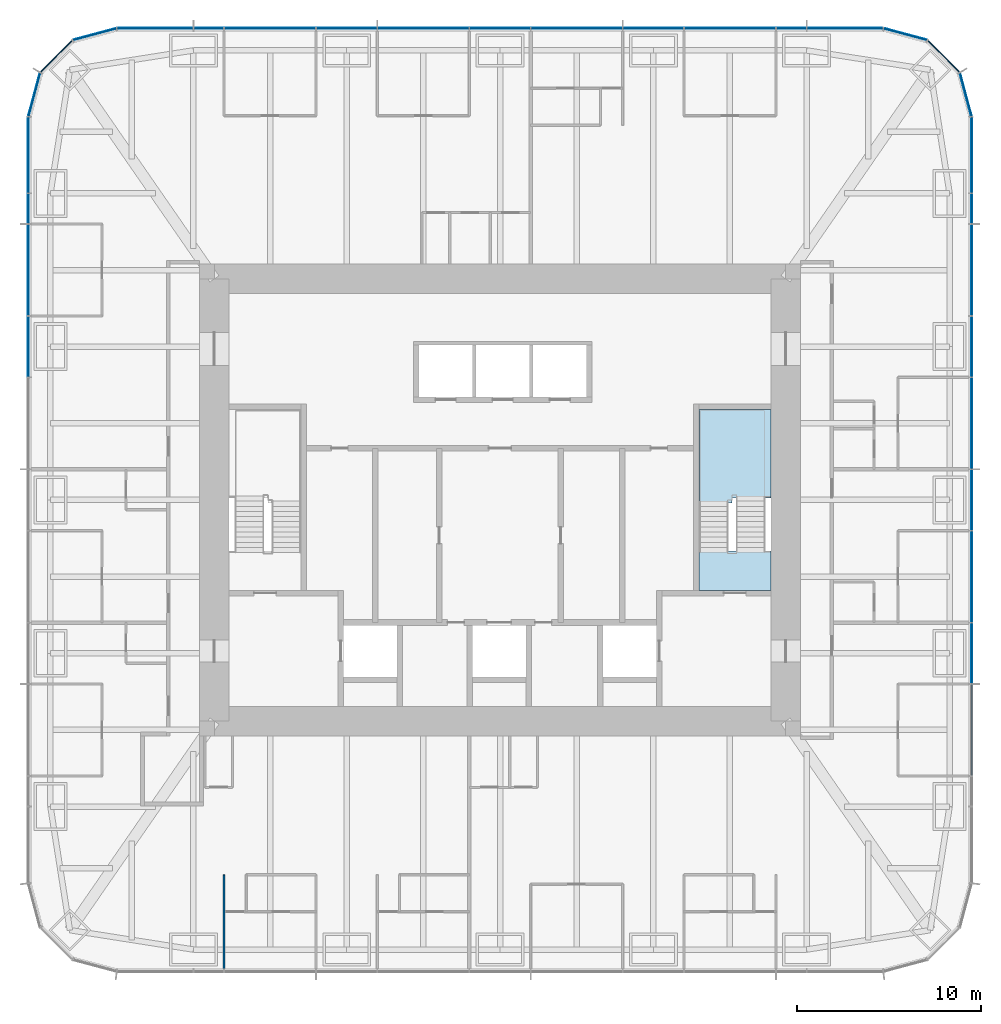
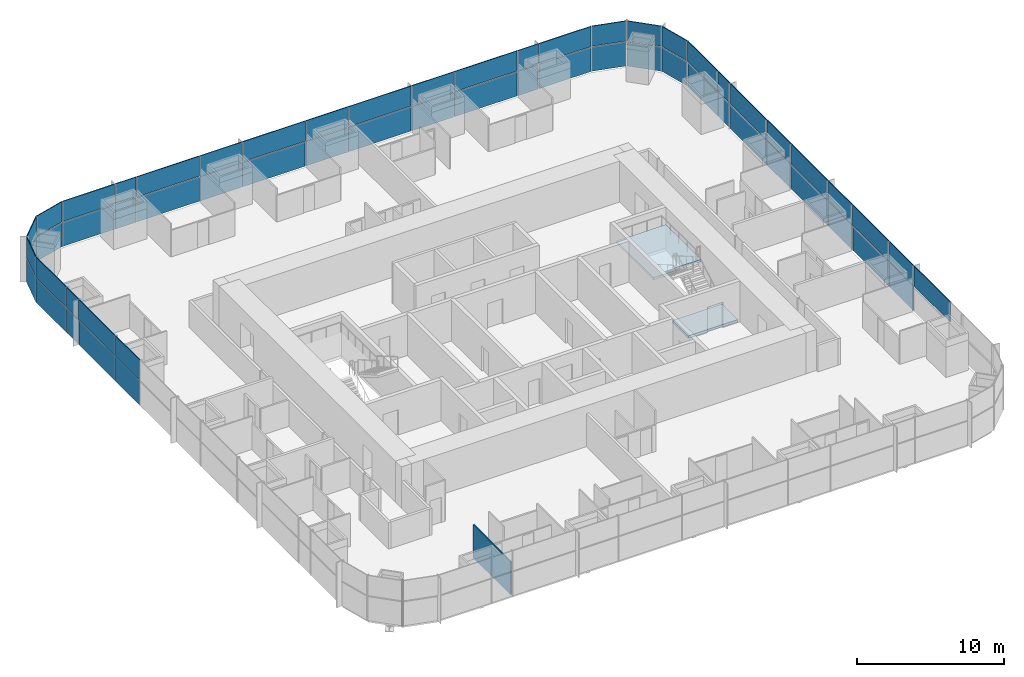
# One storey, part 8 of 13: 59 plates, 2 slabs, 1 wall, 6 elements without a shape of their own.
"""IFC4 building model written with IfcOpenShell, lengths in metres."""

from ifc_helpers import new_model, si_unit, direction, frame, frame_2d, origin, origin_2d, place, context, subcontext, project, spatial, polyline, rectangle, outline, extrude, material, layer, layer_set, type_object, element, aggregate, save


model = new_model("IFC4")

# Units and contexts
model_context = context("Model", 3, precision=1e-05, world=origin(), true_north=direction((0.0, 1.0)))
body_context = subcontext(model_context, "Body", "Model", "MODEL_VIEW")
ifc_project = project(units=[si_unit("LENGTHUNIT", "METRE"), si_unit("AREAUNIT", "SQUARE_METRE"), si_unit("VOLUMEUNIT", "CUBIC_METRE"), si_unit("PLANEANGLEUNIT", "RADIAN"), si_unit("MASSUNIT", "GRAM", prefix="KILO")], contexts=[model_context])

# Site, building, storey
site_placement = place(None, origin())
site = spatial("IfcSite", under=ifc_project, at=site_placement, CompositionType="ELEMENT")
building_placement = place(site_placement, origin())
building = spatial("IfcBuilding", under=site, at=building_placement, Name="Khuree Lantern Residences", CompositionType="ELEMENT")
storey_placement = place(building_placement, frame((0.0, 0.0, 274.5)))
storey = spatial("IfcBuildingStorey", under=building, at=storey_placement, Name="L69", CompositionType="ELEMENT", Elevation=274.5)

# Curtain wall, plates
ifc_material_1 = material(Name="Bronze anodised aluminium", Category="aluminium")
curtain_wall_type_1 = type_object("IfcCurtainWallType", Name="CW-T2 TOWER CORNER CURTAIN WALL", PredefinedType="USERDEFINED", material=ifc_material_1)
curtain_wall_1_placement = place(storey_placement, origin())
curtain_wall_1 = element("IfcCurtainWall", 1, at=curtain_wall_1_placement, inside=storey, type_object=curtain_wall_type_1, Name="L69 NORTH-EAST CORNER CURTAIN WALL", ObjectType="Faceted corner curtain wall", PredefinedType="USERDEFINED")
ifc_material_2 = material(Name="Bronze tinted triple glazing", Category="glass")
ifc_layer_1 = layer(ifc_material_2, 0.048095703125)
ifc_layer_set_1 = layer_set([ifc_layer_1], Name="FACET PANEL P4")
plate_type_1 = type_object("IfcPlateType", Name="FACET PANEL P4", PredefinedType="CURTAIN_PANEL", material=ifc_layer_set_1)
plate_1_placement = place(storey_placement, frame((25.279052734375, 21.998046875, 0.0), z_axis=(0.0, 0.0, 1.0), x_axis=(-0.258819021888, 0.965925832509, 0.0)))
plate_1 = element("IfcPlate", 2, at=plate_1_placement, type_object=plate_type_1, Name="L69 NORTH-EAST CORNER PANEL 15.1", PredefinedType="CURTAIN_PANEL", context=body_context, shape_type="SweptSolid", body=[
    extrude(rectangle(XDim=2.40869140625, YDim=0.048095703125, at=origin_2d()), origin(), (0.0, 0.0, 1.0), 2.017578125),
])
plate_2_placement = place(storey_placement, frame((24.078369140625, 24.078369140625, 0.0), z_axis=(0.0, 0.0, 1.0), x_axis=(-0.707106781187, 0.707106781187, 0.0)))
plate_2 = element("IfcPlate", 3, at=plate_2_placement, type_object=plate_type_1, Name="L69 NORTH-EAST CORNER PANEL 16.1", PredefinedType="CURTAIN_PANEL", context=body_context, shape_type="SweptSolid", body=[
    extrude(rectangle(XDim=2.404541015625, YDim=0.048095703125, at=origin_2d()), origin(), (0.0, 0.0, 1.0), 2.017578125),
])
plate_3_placement = place(storey_placement, frame((21.998046875, 25.279052734375, 0.0), z_axis=(0.0, 0.0, 1.0), x_axis=(-0.965925832509, 0.258819021888, 0.0)))
plate_3 = element("IfcPlate", 4, at=plate_3_placement, type_object=plate_type_1, Name="L69 NORTH-EAST CORNER PANEL 17.1", PredefinedType="CURTAIN_PANEL", context=body_context, shape_type="SweptSolid", body=[
    extrude(rectangle(XDim=2.40869140625, YDim=0.048095703125, at=origin_2d()), origin(), (0.0, 0.0, 1.0), 2.017578125),
])

curtain_wall_2_placement = place(storey_placement, origin())
curtain_wall_2 = element("IfcCurtainWall", 5, at=curtain_wall_2_placement, inside=storey, type_object=curtain_wall_type_1, Name="L69 NORTH-WEST CORNER CURTAIN WALL", ObjectType="Faceted corner curtain wall", PredefinedType="USERDEFINED")
plate_4_placement = place(storey_placement, frame((-21.998046875, 25.279052734375, 0.0), z_axis=(0.0, 0.0, 1.0), x_axis=(-0.965925832509, -0.258819021888, 0.0)))
plate_4 = element("IfcPlate", 6, at=plate_4_placement, type_object=plate_type_1, Name="L69 NORTH-WEST CORNER PANEL 29.1", PredefinedType="CURTAIN_PANEL", context=body_context, shape_type="SweptSolid", body=[
    extrude(rectangle(XDim=2.40869140625, YDim=0.048095703125, at=origin_2d()), origin(), (0.0, 0.0, 1.0), 2.017578125),
])
plate_5_placement = place(storey_placement, frame((-24.078369140625, 24.078369140625, 0.0), z_axis=(0.0, 0.0, 1.0), x_axis=(-0.707106781187, -0.707106781187, 0.0)))
plate_5 = element("IfcPlate", 7, at=plate_5_placement, type_object=plate_type_1, Name="L69 NORTH-WEST CORNER PANEL 30.1", PredefinedType="CURTAIN_PANEL", context=body_context, shape_type="SweptSolid", body=[
    extrude(rectangle(XDim=2.404541015625, YDim=0.048095703125, at=origin_2d()), origin(), (0.0, 0.0, 1.0), 2.017578125),
])
plate_6_placement = place(storey_placement, frame((-25.279052734375, 21.998046875, 0.0), z_axis=(0.0, 0.0, 1.0), x_axis=(-0.258819021888, -0.965925832509, 0.0)))
plate_6 = element("IfcPlate", 8, at=plate_6_placement, type_object=plate_type_1, Name="L69 NORTH-WEST CORNER PANEL 31.1", PredefinedType="CURTAIN_PANEL", context=body_context, shape_type="SweptSolid", body=[
    extrude(rectangle(XDim=2.40869140625, YDim=0.048095703125, at=origin_2d()), origin(), (0.0, 0.0, 1.0), 2.017578125),
])

curtain_wall_type_2 = type_object("IfcCurtainWallType", Name="CW-T1 TOWER FACE CURTAIN WALL", PredefinedType="USERDEFINED", material=ifc_material_1)
curtain_wall_3_placement = place(storey_placement, origin())
curtain_wall_3 = element("IfcCurtainWall", 9, at=curtain_wall_3_placement, inside=storey, type_object=curtain_wall_type_2, Name="L69 EAST FACE CURTAIN WALL", ObjectType="Stick-built curtain wall", PredefinedType="USERDEFINED")
ifc_material_3 = material(Name="Bronze tinted triple glazing with a ceramic-fritted spandrel band", Category="glass")
ifc_layer_2 = layer(ifc_material_3, 0.048095703125)
ifc_layer_set_2 = layer_set([ifc_layer_2], Name="FIXED LIGHT PANEL P11")
plate_type_2 = type_object("IfcPlateType", Name="FIXED LIGHT PANEL P11", PredefinedType="CURTAIN_PANEL", material=ifc_layer_set_2)
plate_7_placement = place(storey_placement, frame((25.60009765625, -4.159912109375, 0.0), z_axis=(0.0, 0.0, 1.0), x_axis=(0.0, 1.0, 0.0)))
plate_7 = element("IfcPlate", 10, at=plate_7_placement, type_object=plate_type_2, Name="L69 EAST FACE PANEL 8.1", PredefinedType="CURTAIN_PANEL", context=body_context, shape_type="SweptSolid", body=[
    extrude(rectangle(XDim=4.927001953125, YDim=0.048095703125, at=origin_2d()), origin(), (0.0, 0.0, 1.0), 2.017578125),
])
plate_8_placement = place(storey_placement, frame((25.60009765625, 4.159912109375, 0.0), z_axis=(0.0, 0.0, 1.0), x_axis=(0.0, 1.0, 0.0)))
plate_8 = element("IfcPlate", 11, at=plate_8_placement, type_object=plate_type_2, Name="L69 EAST FACE PANEL 10.1", PredefinedType="CURTAIN_PANEL", context=body_context, shape_type="SweptSolid", body=[
    extrude(rectangle(XDim=4.927001953125, YDim=0.048095703125, at=origin_2d()), origin(), (0.0, 0.0, 1.0), 2.017578125),
])
plate_9_placement = place(storey_placement, frame((25.60009765625, 12.47998046875, 0.0), z_axis=(0.0, 0.0, 1.0), x_axis=(0.0, 1.0, 0.0)))
plate_9 = element("IfcPlate", 12, at=plate_9_placement, type_object=plate_type_2, Name="L69 EAST FACE PANEL 12.1", PredefinedType="CURTAIN_PANEL", context=body_context, shape_type="SweptSolid", body=[
    extrude(rectangle(XDim=4.927001953125, YDim=0.048095703125, at=origin_2d()), origin(), (0.0, 0.0, 1.0), 2.017578125),
])

curtain_wall_4_placement = place(storey_placement, origin())
curtain_wall_4 = element("IfcCurtainWall", 13, at=curtain_wall_4_placement, inside=storey, type_object=curtain_wall_type_2, Name="L69 NORTH FACE CURTAIN WALL", ObjectType="Stick-built curtain wall", PredefinedType="USERDEFINED")
plate_10_placement = place(storey_placement, frame((12.47998046875, 25.60009765625, 0.0), z_axis=(0.0, 0.0, 1.0), x_axis=(-1.0, 0.0, 0.0)))
plate_10 = element("IfcPlate", 14, at=plate_10_placement, type_object=plate_type_2, Name="L69 NORTH FACE PANEL 20.1", PredefinedType="CURTAIN_PANEL", context=body_context, shape_type="SweptSolid", body=[
    extrude(rectangle(XDim=4.927001953125, YDim=0.048095703125, at=origin_2d()), origin(), (0.0, 0.0, 1.0), 2.017578125),
])
plate_11_placement = place(storey_placement, frame((4.159912109375, 25.60009765625, 0.0), z_axis=(0.0, 0.0, 1.0), x_axis=(-1.0, 0.0, 0.0)))
plate_11 = element("IfcPlate", 15, at=plate_11_placement, type_object=plate_type_2, Name="L69 NORTH FACE PANEL 22.1", PredefinedType="CURTAIN_PANEL", context=body_context, shape_type="SweptSolid", body=[
    extrude(rectangle(XDim=4.927001953125, YDim=0.048095703125, at=origin_2d()), origin(), (0.0, 0.0, 1.0), 2.017578125),
])
plate_12_placement = place(storey_placement, frame((-4.159912109375, 25.60009765625, 0.0), z_axis=(0.0, 0.0, 1.0), x_axis=(-1.0, 0.0, 0.0)))
plate_12 = element("IfcPlate", 16, at=plate_12_placement, type_object=plate_type_2, Name="L69 NORTH FACE PANEL 24.1", PredefinedType="CURTAIN_PANEL", context=body_context, shape_type="SweptSolid", body=[
    extrude(rectangle(XDim=4.927001953125, YDim=0.048095703125, at=origin_2d()), origin(), (0.0, 0.0, 1.0), 2.017578125),
])
plate_13_placement = place(storey_placement, frame((-12.47998046875, 25.60009765625, 0.0), z_axis=(0.0, 0.0, 1.0), x_axis=(-1.0, 0.0, 0.0)))
plate_13 = element("IfcPlate", 17, at=plate_13_placement, type_object=plate_type_2, Name="L69 NORTH FACE PANEL 26.1", PredefinedType="CURTAIN_PANEL", context=body_context, shape_type="SweptSolid", body=[
    extrude(rectangle(XDim=4.927001953125, YDim=0.048095703125, at=origin_2d()), origin(), (0.0, 0.0, 1.0), 2.017578125),
])

# Curtain wall, plate
curtain_wall_5_placement = place(storey_placement, origin())
curtain_wall_5 = element("IfcCurtainWall", 18, at=curtain_wall_5_placement, inside=storey, type_object=curtain_wall_type_2, Name="L69 WEST FACE CURTAIN WALL", ObjectType="Stick-built curtain wall", PredefinedType="USERDEFINED")
plate_14_placement = place(storey_placement, frame((-25.60009765625, 12.47998046875, 0.0), z_axis=(0.0, 0.0, 1.0), x_axis=(0.0, -1.0, 0.0)))
plate_14 = element("IfcPlate", 19, at=plate_14_placement, type_object=plate_type_2, Name="L69 WEST FACE PANEL 34.1", PredefinedType="CURTAIN_PANEL", context=body_context, shape_type="SweptSolid", body=[
    extrude(rectangle(XDim=4.927001953125, YDim=0.048095703125, at=origin_2d()), origin(), (0.0, 0.0, 1.0), 2.017578125),
])

# Plate
ifc_material_4 = material(Name="Bronze tinted triple glazing, two aluminium-framed sashes in one frame", Category="aluminium")
ifc_layer_3 = layer(ifc_material_4, 0.048095703125)
ifc_layer_set_3 = layer_set([ifc_layer_3], Name="SASH PAIR PANEL P12")
plate_type_3 = type_object("IfcPlateType", Name="SASH PAIR PANEL P12", PredefinedType="CURTAIN_PANEL", material=ifc_layer_set_3)
plate_15_placement = place(storey_placement, frame((25.60009765625, -8.320068359375, 0.0), z_axis=(0.0, 0.0, 1.0), x_axis=(0.0, 1.0, 0.0)))
plate_15 = element("IfcPlate", 20, at=plate_15_placement, type_object=plate_type_3, Name="L69 EAST FACE PANEL 7.1", PredefinedType="CURTAIN_PANEL", context=body_context, shape_type="SweptSolid", body=[
    extrude(rectangle(XDim=3.262939453125, YDim=0.048095703125, at=origin_2d()), origin(), (0.0, 0.0, 1.0), 2.017578125),
])

plate_16_placement = place(storey_placement, frame((25.60009765625, 0.0, 0.0), z_axis=(0.0, 0.0, 1.0), x_axis=(0.0, 1.0, 0.0)))
plate_16 = element("IfcPlate", 21, at=plate_16_placement, type_object=plate_type_3, Name="L69 EAST FACE PANEL 9.1", PredefinedType="CURTAIN_PANEL", context=body_context, shape_type="SweptSolid", body=[
    extrude(rectangle(XDim=3.262939453125, YDim=0.048095703125, at=origin_2d()), origin(), (0.0, 0.0, 1.0), 2.017578125),
])

plate_17_placement = place(storey_placement, frame((25.60009765625, 8.320068359375, 0.0), z_axis=(0.0, 0.0, 1.0), x_axis=(0.0, 1.0, 0.0)))
plate_17 = element("IfcPlate", 22, at=plate_17_placement, type_object=plate_type_3, Name="L69 EAST FACE PANEL 11.1", PredefinedType="CURTAIN_PANEL", context=body_context, shape_type="SweptSolid", body=[
    extrude(rectangle(XDim=3.262939453125, YDim=0.048095703125, at=origin_2d()), origin(), (0.0, 0.0, 1.0), 2.017578125),
])

plate_18_placement = place(storey_placement, frame((8.320068359375, 25.60009765625, 0.0), z_axis=(0.0, 0.0, 1.0), x_axis=(-1.0, 0.0, 0.0)))
plate_18 = element("IfcPlate", 23, at=plate_18_placement, type_object=plate_type_3, Name="L69 NORTH FACE PANEL 21.1", PredefinedType="CURTAIN_PANEL", context=body_context, shape_type="SweptSolid", body=[
    extrude(rectangle(XDim=3.262939453125, YDim=0.048095703125, at=origin_2d()), origin(), (0.0, 0.0, 1.0), 2.017578125),
])

plate_19_placement = place(storey_placement, frame((0.0, 25.60009765625, 0.0), z_axis=(0.0, 0.0, 1.0), x_axis=(-1.0, 0.0, 0.0)))
plate_19 = element("IfcPlate", 24, at=plate_19_placement, type_object=plate_type_3, Name="L69 NORTH FACE PANEL 23.1", PredefinedType="CURTAIN_PANEL", context=body_context, shape_type="SweptSolid", body=[
    extrude(rectangle(XDim=3.262939453125, YDim=0.048095703125, at=origin_2d()), origin(), (0.0, 0.0, 1.0), 2.017578125),
])

plate_20_placement = place(storey_placement, frame((-8.320068359375, 25.60009765625, 0.0), z_axis=(0.0, 0.0, 1.0), x_axis=(-1.0, 0.0, 0.0)))
plate_20 = element("IfcPlate", 25, at=plate_20_placement, type_object=plate_type_3, Name="L69 NORTH FACE PANEL 25.1", PredefinedType="CURTAIN_PANEL", context=body_context, shape_type="SweptSolid", body=[
    extrude(rectangle(XDim=3.262939453125, YDim=0.048095703125, at=origin_2d()), origin(), (0.0, 0.0, 1.0), 2.017578125),
])

plate_21_placement = place(storey_placement, frame((-25.60009765625, 8.320068359375, 0.0), z_axis=(0.0, 0.0, 1.0), x_axis=(0.0, -1.0, 0.0)))
plate_21 = element("IfcPlate", 26, at=plate_21_placement, type_object=plate_type_3, Name="L69 WEST FACE PANEL 35.1", PredefinedType="CURTAIN_PANEL", context=body_context, shape_type="SweptSolid", body=[
    extrude(rectangle(XDim=3.262939453125, YDim=0.048095703125, at=origin_2d()), origin(), (0.0, 0.0, 1.0), 2.017578125),
])

ifc_material_5 = material(Name="Bronze tinted triple glazing, aluminium-framed sash", Category="aluminium")
ifc_layer_4 = layer(ifc_material_5, 0.048095703125)
ifc_layer_set_4 = layer_set([ifc_layer_4], Name="SASH PANEL P3")
plate_type_4 = type_object("IfcPlateType", Name="SASH PANEL P3", PredefinedType="CURTAIN_PANEL", material=ifc_layer_set_4)
plate_22_placement = place(storey_placement, frame((25.60009765625, 15.80810546875, 0.0), z_axis=(0.0, 0.0, 1.0), x_axis=(0.0, 1.0, 0.0)))
plate_22 = element("IfcPlate", 27, at=plate_22_placement, type_object=plate_type_4, Name="L69 EAST FACE PANEL 13.1", PredefinedType="CURTAIN_PANEL", context=body_context, shape_type="SweptSolid", body=[
    extrude(rectangle(XDim=1.59912109375, YDim=0.048095703125, at=origin_2d()), origin(), (0.0, 0.0, 1.0), 2.017578125),
])

plate_23_placement = place(storey_placement, frame((15.80810546875, 25.60009765625, 0.0), z_axis=(0.0, 0.0, 1.0), x_axis=(-1.0, 0.0, 0.0)))
plate_23 = element("IfcPlate", 28, at=plate_23_placement, type_object=plate_type_4, Name="L69 NORTH FACE PANEL 19.1", PredefinedType="CURTAIN_PANEL", context=body_context, shape_type="SweptSolid", body=[
    extrude(rectangle(XDim=1.59912109375, YDim=0.048095703125, at=origin_2d()), origin(), (0.0, 0.0, 1.0), 2.017578125),
])

plate_24_placement = place(storey_placement, frame((-15.80810546875, 25.60009765625, 0.0), z_axis=(0.0, 0.0, 1.0), x_axis=(-1.0, 0.0, 0.0)))
plate_24 = element("IfcPlate", 29, at=plate_24_placement, type_object=plate_type_4, Name="L69 NORTH FACE PANEL 27.1", PredefinedType="CURTAIN_PANEL", context=body_context, shape_type="SweptSolid", body=[
    extrude(rectangle(XDim=1.59912109375, YDim=0.048095703125, at=origin_2d()), origin(), (0.0, 0.0, 1.0), 2.017578125),
])

plate_25_placement = place(storey_placement, frame((-25.60009765625, 15.80810546875, 0.0), z_axis=(0.0, 0.0, 1.0), x_axis=(0.0, -1.0, 0.0)))
plate_25 = element("IfcPlate", 30, at=plate_25_placement, type_object=plate_type_4, Name="L69 WEST FACE PANEL 33.1", PredefinedType="CURTAIN_PANEL", context=body_context, shape_type="SweptSolid", body=[
    extrude(rectangle(XDim=1.59912109375, YDim=0.048095703125, at=origin_2d()), origin(), (0.0, 0.0, 1.0), 2.017578125),
])

ifc_material_6 = material(Name="Bronze anodised aluminium insulated spandrel", Category="aluminium")
ifc_layer_5 = layer(ifc_material_6, 0.06005859375)
ifc_layer_set_5 = layer_set([ifc_layer_5], Name="SPANDREL PANEL P2")
plate_type_5 = type_object("IfcPlateType", Name="SPANDREL PANEL P2", PredefinedType="CURTAIN_PANEL", material=ifc_layer_set_5)
plate_26_placement = place(storey_placement, frame((25.60009765625, -12.47998046875, 2.08251953125), z_axis=(0.0, 0.0, 1.0), x_axis=(0.0, 1.0, 0.0)))
plate_26 = element("IfcPlate", 31, at=plate_26_placement, type_object=plate_type_5, Name="L69 EAST FACE PANEL 6.2", PredefinedType="CURTAIN_PANEL", context=body_context, shape_type="SweptSolid", body=[
    extrude(rectangle(XDim=4.927001953125, YDim=0.06005859375, at=origin_2d()), origin(), (0.0, 0.0, 1.0), 1.66748046875),
])

plate_27_placement = place(storey_placement, frame((25.60009765625, -8.320068359375, 2.08251953125), z_axis=(0.0, 0.0, 1.0), x_axis=(0.0, 1.0, 0.0)))
plate_27 = element("IfcPlate", 32, at=plate_27_placement, type_object=plate_type_5, Name="L69 EAST FACE PANEL 7.2", PredefinedType="CURTAIN_PANEL", context=body_context, shape_type="SweptSolid", body=[
    extrude(rectangle(XDim=3.262939453125, YDim=0.06005859375, at=origin_2d()), origin(), (0.0, 0.0, 1.0), 1.66748046875),
])

plate_28_placement = place(storey_placement, frame((25.60009765625, -4.159912109375, 2.08251953125), z_axis=(0.0, 0.0, 1.0), x_axis=(0.0, 1.0, 0.0)))
plate_28 = element("IfcPlate", 33, at=plate_28_placement, type_object=plate_type_5, Name="L69 EAST FACE PANEL 8.2", PredefinedType="CURTAIN_PANEL", context=body_context, shape_type="SweptSolid", body=[
    extrude(rectangle(XDim=4.927001953125, YDim=0.06005859375, at=origin_2d()), origin(), (0.0, 0.0, 1.0), 1.66748046875),
])

plate_29_placement = place(storey_placement, frame((25.60009765625, 0.0, 2.08251953125), z_axis=(0.0, 0.0, 1.0), x_axis=(0.0, 1.0, 0.0)))
plate_29 = element("IfcPlate", 34, at=plate_29_placement, type_object=plate_type_5, Name="L69 EAST FACE PANEL 9.2", PredefinedType="CURTAIN_PANEL", context=body_context, shape_type="SweptSolid", body=[
    extrude(rectangle(XDim=3.262939453125, YDim=0.06005859375, at=origin_2d()), origin(), (0.0, 0.0, 1.0), 1.66748046875),
])

plate_30_placement = place(storey_placement, frame((25.60009765625, 4.159912109375, 2.08251953125), z_axis=(0.0, 0.0, 1.0), x_axis=(0.0, 1.0, 0.0)))
plate_30 = element("IfcPlate", 35, at=plate_30_placement, type_object=plate_type_5, Name="L69 EAST FACE PANEL 10.2", PredefinedType="CURTAIN_PANEL", context=body_context, shape_type="SweptSolid", body=[
    extrude(rectangle(XDim=4.927001953125, YDim=0.06005859375, at=origin_2d()), origin(), (0.0, 0.0, 1.0), 1.66748046875),
])

plate_31_placement = place(storey_placement, frame((25.60009765625, 8.320068359375, 2.08251953125), z_axis=(0.0, 0.0, 1.0), x_axis=(0.0, 1.0, 0.0)))
plate_31 = element("IfcPlate", 36, at=plate_31_placement, type_object=plate_type_5, Name="L69 EAST FACE PANEL 11.2", PredefinedType="CURTAIN_PANEL", context=body_context, shape_type="SweptSolid", body=[
    extrude(rectangle(XDim=3.262939453125, YDim=0.06005859375, at=origin_2d()), origin(), (0.0, 0.0, 1.0), 1.66748046875),
])

plate_32_placement = place(storey_placement, frame((25.60009765625, 12.47998046875, 2.08251953125), z_axis=(0.0, 0.0, 1.0), x_axis=(0.0, 1.0, 0.0)))
plate_32 = element("IfcPlate", 37, at=plate_32_placement, type_object=plate_type_5, Name="L69 EAST FACE PANEL 12.2", PredefinedType="CURTAIN_PANEL", context=body_context, shape_type="SweptSolid", body=[
    extrude(rectangle(XDim=4.927001953125, YDim=0.06005859375, at=origin_2d()), origin(), (0.0, 0.0, 1.0), 1.66748046875),
])

plate_33_placement = place(storey_placement, frame((25.60009765625, 15.80810546875, 2.08251953125), z_axis=(0.0, 0.0, 1.0), x_axis=(0.0, 1.0, 0.0)))
plate_33 = element("IfcPlate", 38, at=plate_33_placement, type_object=plate_type_5, Name="L69 EAST FACE PANEL 13.2", PredefinedType="CURTAIN_PANEL", context=body_context, shape_type="SweptSolid", body=[
    extrude(rectangle(XDim=1.59912109375, YDim=0.06005859375, at=origin_2d()), origin(), (0.0, 0.0, 1.0), 1.66748046875),
])

plate_34_placement = place(storey_placement, frame((25.60009765625, 18.7177734375, 2.08251953125), z_axis=(0.0, 0.0, 1.0), x_axis=(0.0, 1.0, 0.0)))
plate_34 = element("IfcPlate", 39, at=plate_34_placement, type_object=plate_type_5, Name="L69 EAST FACE PANEL 14.2", PredefinedType="CURTAIN_PANEL", context=body_context, shape_type="SweptSolid", body=[
    extrude(rectangle(XDim=4.0908203125, YDim=0.06005859375, at=origin_2d()), origin(), (0.0, 0.0, 1.0), 1.66748046875),
])

plate_35_placement = place(storey_placement, frame((25.279052734375, 21.99755859375, 2.08251953125), z_axis=(0.0, 0.0, 1.0), x_axis=(-0.258819021888, 0.965925832509, 0.0)))
plate_35 = element("IfcPlate", 40, at=plate_35_placement, type_object=plate_type_5, Name="L69 NORTH-EAST CORNER PANEL 15.2", PredefinedType="CURTAIN_PANEL", context=body_context, shape_type="SweptSolid", body=[
    extrude(rectangle(XDim=2.40625, YDim=0.06005859375, at=origin_2d()), origin(), (0.0, 0.0, 1.0), 1.66748046875),
])

plate_36_placement = place(storey_placement, frame((24.078369140625, 24.078369140625, 2.08251953125), z_axis=(0.0, 0.0, 1.0), x_axis=(-0.707106781187, 0.707106781187, 0.0)))
plate_36 = element("IfcPlate", 41, at=plate_36_placement, type_object=plate_type_5, Name="L69 NORTH-EAST CORNER PANEL 16.2", PredefinedType="CURTAIN_PANEL", context=body_context, shape_type="SweptSolid", body=[
    extrude(rectangle(XDim=2.4013671875, YDim=0.06005859375, at=origin_2d()), origin(), (0.0, 0.0, 1.0), 1.66748046875),
])

plate_37_placement = place(storey_placement, frame((21.99755859375, 25.279052734375, 2.08251953125), z_axis=(0.0, 0.0, 1.0), x_axis=(-0.965925832509, 0.258819021888, 0.0)))
plate_37 = element("IfcPlate", 42, at=plate_37_placement, type_object=plate_type_5, Name="L69 NORTH-EAST CORNER PANEL 17.2", PredefinedType="CURTAIN_PANEL", context=body_context, shape_type="SweptSolid", body=[
    extrude(rectangle(XDim=2.40625, YDim=0.06005859375, at=origin_2d()), origin(), (0.0, 0.0, 1.0), 1.66748046875),
])

aggregate(curtain_wall_1, [plate_1, plate_35, plate_2, plate_36, plate_3, plate_37])

plate_38_placement = place(storey_placement, frame((18.7177734375, 25.60009765625, 2.08251953125), z_axis=(0.0, 0.0, 1.0), x_axis=(-1.0, 0.0, 0.0)))
plate_38 = element("IfcPlate", 43, at=plate_38_placement, type_object=plate_type_5, Name="L69 NORTH FACE PANEL 18.2", PredefinedType="CURTAIN_PANEL", context=body_context, shape_type="SweptSolid", body=[
    extrude(rectangle(XDim=4.0908203125, YDim=0.06005859375, at=origin_2d()), origin(), (0.0, 0.0, 1.0), 1.66748046875),
])

plate_39_placement = place(storey_placement, frame((15.80810546875, 25.60009765625, 2.08251953125), z_axis=(0.0, 0.0, 1.0), x_axis=(-1.0, 0.0, 0.0)))
plate_39 = element("IfcPlate", 44, at=plate_39_placement, type_object=plate_type_5, Name="L69 NORTH FACE PANEL 19.2", PredefinedType="CURTAIN_PANEL", context=body_context, shape_type="SweptSolid", body=[
    extrude(rectangle(XDim=1.59912109375, YDim=0.06005859375, at=origin_2d()), origin(), (0.0, 0.0, 1.0), 1.66748046875),
])

plate_40_placement = place(storey_placement, frame((12.47998046875, 25.60009765625, 2.08251953125), z_axis=(0.0, 0.0, 1.0), x_axis=(-1.0, 0.0, 0.0)))
plate_40 = element("IfcPlate", 45, at=plate_40_placement, type_object=plate_type_5, Name="L69 NORTH FACE PANEL 20.2", PredefinedType="CURTAIN_PANEL", context=body_context, shape_type="SweptSolid", body=[
    extrude(rectangle(XDim=4.927001953125, YDim=0.06005859375, at=origin_2d()), origin(), (0.0, 0.0, 1.0), 1.66748046875),
])

plate_41_placement = place(storey_placement, frame((8.320068359375, 25.60009765625, 2.08251953125), z_axis=(0.0, 0.0, 1.0), x_axis=(-1.0, 0.0, 0.0)))
plate_41 = element("IfcPlate", 46, at=plate_41_placement, type_object=plate_type_5, Name="L69 NORTH FACE PANEL 21.2", PredefinedType="CURTAIN_PANEL", context=body_context, shape_type="SweptSolid", body=[
    extrude(rectangle(XDim=3.262939453125, YDim=0.06005859375, at=origin_2d()), origin(), (0.0, 0.0, 1.0), 1.66748046875),
])

plate_42_placement = place(storey_placement, frame((4.159912109375, 25.60009765625, 2.08251953125), z_axis=(0.0, 0.0, 1.0), x_axis=(-1.0, 0.0, 0.0)))
plate_42 = element("IfcPlate", 47, at=plate_42_placement, type_object=plate_type_5, Name="L69 NORTH FACE PANEL 22.2", PredefinedType="CURTAIN_PANEL", context=body_context, shape_type="SweptSolid", body=[
    extrude(rectangle(XDim=4.927001953125, YDim=0.06005859375, at=origin_2d()), origin(), (0.0, 0.0, 1.0), 1.66748046875),
])

plate_43_placement = place(storey_placement, frame((0.0, 25.60009765625, 2.08251953125), z_axis=(0.0, 0.0, 1.0), x_axis=(-1.0, 0.0, 0.0)))
plate_43 = element("IfcPlate", 48, at=plate_43_placement, type_object=plate_type_5, Name="L69 NORTH FACE PANEL 23.2", PredefinedType="CURTAIN_PANEL", context=body_context, shape_type="SweptSolid", body=[
    extrude(rectangle(XDim=3.262939453125, YDim=0.06005859375, at=origin_2d()), origin(), (0.0, 0.0, 1.0), 1.66748046875),
])

plate_44_placement = place(storey_placement, frame((-4.159912109375, 25.60009765625, 2.08251953125), z_axis=(0.0, 0.0, 1.0), x_axis=(-1.0, 0.0, 0.0)))
plate_44 = element("IfcPlate", 49, at=plate_44_placement, type_object=plate_type_5, Name="L69 NORTH FACE PANEL 24.2", PredefinedType="CURTAIN_PANEL", context=body_context, shape_type="SweptSolid", body=[
    extrude(rectangle(XDim=4.927001953125, YDim=0.06005859375, at=origin_2d()), origin(), (0.0, 0.0, 1.0), 1.66748046875),
])

plate_45_placement = place(storey_placement, frame((-8.320068359375, 25.60009765625, 2.08251953125), z_axis=(0.0, 0.0, 1.0), x_axis=(-1.0, 0.0, 0.0)))
plate_45 = element("IfcPlate", 50, at=plate_45_placement, type_object=plate_type_5, Name="L69 NORTH FACE PANEL 25.2", PredefinedType="CURTAIN_PANEL", context=body_context, shape_type="SweptSolid", body=[
    extrude(rectangle(XDim=3.262939453125, YDim=0.06005859375, at=origin_2d()), origin(), (0.0, 0.0, 1.0), 1.66748046875),
])

plate_46_placement = place(storey_placement, frame((-12.47998046875, 25.60009765625, 2.08251953125), z_axis=(0.0, 0.0, 1.0), x_axis=(-1.0, 0.0, 0.0)))
plate_46 = element("IfcPlate", 51, at=plate_46_placement, type_object=plate_type_5, Name="L69 NORTH FACE PANEL 26.2", PredefinedType="CURTAIN_PANEL", context=body_context, shape_type="SweptSolid", body=[
    extrude(rectangle(XDim=4.927001953125, YDim=0.06005859375, at=origin_2d()), origin(), (0.0, 0.0, 1.0), 1.66748046875),
])

plate_47_placement = place(storey_placement, frame((-15.80810546875, 25.60009765625, 2.08251953125), z_axis=(0.0, 0.0, 1.0), x_axis=(-1.0, 0.0, 0.0)))
plate_47 = element("IfcPlate", 52, at=plate_47_placement, type_object=plate_type_5, Name="L69 NORTH FACE PANEL 27.2", PredefinedType="CURTAIN_PANEL", context=body_context, shape_type="SweptSolid", body=[
    extrude(rectangle(XDim=1.59912109375, YDim=0.06005859375, at=origin_2d()), origin(), (0.0, 0.0, 1.0), 1.66748046875),
])

plate_48_placement = place(storey_placement, frame((-18.7177734375, 25.60009765625, 2.08251953125), z_axis=(0.0, 0.0, 1.0), x_axis=(-1.0, 0.0, 0.0)))
plate_48 = element("IfcPlate", 53, at=plate_48_placement, type_object=plate_type_5, Name="L69 NORTH FACE PANEL 28.2", PredefinedType="CURTAIN_PANEL", context=body_context, shape_type="SweptSolid", body=[
    extrude(rectangle(XDim=4.0908203125, YDim=0.06005859375, at=origin_2d()), origin(), (0.0, 0.0, 1.0), 1.66748046875),
])

plate_49_placement = place(storey_placement, frame((-21.99755859375, 25.279052734375, 2.08251953125), z_axis=(0.0, 0.0, 1.0), x_axis=(-0.965925832509, -0.258819021888, 0.0)))
plate_49 = element("IfcPlate", 54, at=plate_49_placement, type_object=plate_type_5, Name="L69 NORTH-WEST CORNER PANEL 29.2", PredefinedType="CURTAIN_PANEL", context=body_context, shape_type="SweptSolid", body=[
    extrude(rectangle(XDim=2.40625, YDim=0.06005859375, at=origin_2d()), origin(), (0.0, 0.0, 1.0), 1.66748046875),
])

plate_50_placement = place(storey_placement, frame((-24.078369140625, 24.078369140625, 2.08251953125), z_axis=(0.0, 0.0, 1.0), x_axis=(-0.707106781187, -0.707106781187, 0.0)))
plate_50 = element("IfcPlate", 55, at=plate_50_placement, type_object=plate_type_5, Name="L69 NORTH-WEST CORNER PANEL 30.2", PredefinedType="CURTAIN_PANEL", context=body_context, shape_type="SweptSolid", body=[
    extrude(rectangle(XDim=2.4013671875, YDim=0.06005859375, at=origin_2d()), origin(), (0.0, 0.0, 1.0), 1.66748046875),
])

plate_51_placement = place(storey_placement, frame((-25.279052734375, 21.99755859375, 2.08251953125), z_axis=(0.0, 0.0, 1.0), x_axis=(-0.258819021888, -0.965925832509, 0.0)))
plate_51 = element("IfcPlate", 56, at=plate_51_placement, type_object=plate_type_5, Name="L69 NORTH-WEST CORNER PANEL 31.2", PredefinedType="CURTAIN_PANEL", context=body_context, shape_type="SweptSolid", body=[
    extrude(rectangle(XDim=2.40625, YDim=0.06005859375, at=origin_2d()), origin(), (0.0, 0.0, 1.0), 1.66748046875),
])

aggregate(curtain_wall_2, [plate_4, plate_49, plate_5, plate_50, plate_6, plate_51])

plate_52_placement = place(storey_placement, frame((-25.60009765625, 18.7177734375, 2.08251953125), z_axis=(0.0, 0.0, 1.0), x_axis=(0.0, -1.0, 0.0)))
plate_52 = element("IfcPlate", 57, at=plate_52_placement, type_object=plate_type_5, Name="L69 WEST FACE PANEL 32.2", PredefinedType="CURTAIN_PANEL", context=body_context, shape_type="SweptSolid", body=[
    extrude(rectangle(XDim=4.0908203125, YDim=0.06005859375, at=origin_2d()), origin(), (0.0, 0.0, 1.0), 1.66748046875),
])

plate_53_placement = place(storey_placement, frame((-25.60009765625, 15.80810546875, 2.08251953125), z_axis=(0.0, 0.0, 1.0), x_axis=(0.0, -1.0, 0.0)))
plate_53 = element("IfcPlate", 58, at=plate_53_placement, type_object=plate_type_5, Name="L69 WEST FACE PANEL 33.2", PredefinedType="CURTAIN_PANEL", context=body_context, shape_type="SweptSolid", body=[
    extrude(rectangle(XDim=1.59912109375, YDim=0.06005859375, at=origin_2d()), origin(), (0.0, 0.0, 1.0), 1.66748046875),
])

plate_54_placement = place(storey_placement, frame((-25.60009765625, 12.47998046875, 2.08251953125), z_axis=(0.0, 0.0, 1.0), x_axis=(0.0, -1.0, 0.0)))
plate_54 = element("IfcPlate", 59, at=plate_54_placement, type_object=plate_type_5, Name="L69 WEST FACE PANEL 34.2", PredefinedType="CURTAIN_PANEL", context=body_context, shape_type="SweptSolid", body=[
    extrude(rectangle(XDim=4.927001953125, YDim=0.06005859375, at=origin_2d()), origin(), (0.0, 0.0, 1.0), 1.66748046875),
])

plate_55_placement = place(storey_placement, frame((-25.60009765625, 8.320068359375, 2.08251953125), z_axis=(0.0, 0.0, 1.0), x_axis=(0.0, -1.0, 0.0)))
plate_55 = element("IfcPlate", 60, at=plate_55_placement, type_object=plate_type_5, Name="L69 WEST FACE PANEL 35.2", PredefinedType="CURTAIN_PANEL", context=body_context, shape_type="SweptSolid", body=[
    extrude(rectangle(XDim=3.262939453125, YDim=0.06005859375, at=origin_2d()), origin(), (0.0, 0.0, 1.0), 1.66748046875),
])

# Stair, slabs
ifc_material_7 = material(Name="Concrete C40/50", Category="concrete")
stair_type = type_object("IfcStairType", Name="STAIR ST1 HALF TURN 3600", PredefinedType="HALF_TURN_STAIR", material=ifc_material_7)
stair_placement = place(storey_placement, origin())
stair = element("IfcStair", 61, at=stair_placement, inside=storey, type_object=stair_type, Name="Stair ST2", PredefinedType="HALF_TURN_STAIR")
ifc_layer_6 = layer(ifc_material_7, 0.199951171875)
ifc_layer_set_6 = layer_set([ifc_layer_6], Name="STAIR LANDING SL1 200")
slab_type = type_object("IfcSlabType", Name="STAIR LANDING SL1 200", PredefinedType="LANDING", material=ifc_layer_set_6)
slab_1_placement = place(storey_placement, frame((0.0, 0.0, -0.199951171875)))
slab_1 = element("IfcSlab", 62, at=slab_1_placement, type_object=slab_type, Name="ST2 landing 1", PredefinedType="LANDING", context=body_context, shape_type="SweptSolid", body=[
    extrude(outline(polyline([(10.800048828125, -4.89990234375), (14.699951171875, -4.89990234375), (14.699951171875, -2.760009765625), (10.800048828125, -2.760009765625), (10.800048828125, -4.89990234375)])), origin(), (0.0, 0.0, 1.0), 0.199951171875),
])
slab_2_placement = place(storey_placement, frame((0.0, 0.0, 1.756591796875)))
slab_2 = element("IfcSlab", 63, at=slab_2_placement, type_object=slab_type, Name="ST2 landing 2", PredefinedType="LANDING", context=body_context, shape_type="SweptSolid", body=[
    extrude(outline(polyline([(14.699951171875, 4.89990234375), (14.699951171875, 0.1201171875), (12.60009765625, 0.1201171875), (12.60009765625, -0.159912109375), (10.800048828125, -0.159912109375), (10.800048828125, 4.89990234375), (14.699951171875, 4.89990234375)])), origin(), (0.0, 0.0, 1.0), 0.199951171875),
])
aggregate(stair, [slab_1, slab_2])

# Plate
ifc_layer_7 = layer(ifc_material_2, 0.048095703125)
ifc_layer_set_7 = layer_set([ifc_layer_7], Name="VISION PANEL P1")
plate_type_6 = type_object("IfcPlateType", Name="VISION PANEL P1", PredefinedType="CURTAIN_PANEL", material=ifc_layer_set_7)
plate_56_placement = place(storey_placement, frame((25.60009765625, 18.71826171875, 0.0), z_axis=(0.0, 0.0, 1.0), x_axis=(0.0, 1.0, 0.0)))
plate_56 = element("IfcPlate", 64, at=plate_56_placement, type_object=plate_type_6, Name="L69 EAST FACE PANEL 14.1", PredefinedType="CURTAIN_PANEL", context=body_context, shape_type="SweptSolid", body=[
    extrude(rectangle(XDim=4.091552734375, YDim=0.048095703125, at=origin_2d()), origin(), (0.0, 0.0, 1.0), 2.017578125),
])

aggregate(curtain_wall_3, [plate_26, plate_15, plate_27, plate_7, plate_28, plate_16, plate_29, plate_8, plate_30, plate_17, plate_31, plate_9, plate_32, plate_22, plate_33, plate_56, plate_34])

plate_57_placement = place(storey_placement, frame((18.71826171875, 25.60009765625, 0.0), z_axis=(0.0, 0.0, 1.0), x_axis=(-1.0, 0.0, 0.0)))
plate_57 = element("IfcPlate", 65, at=plate_57_placement, type_object=plate_type_6, Name="L69 NORTH FACE PANEL 18.1", PredefinedType="CURTAIN_PANEL", context=body_context, shape_type="SweptSolid", body=[
    extrude(rectangle(XDim=4.091552734375, YDim=0.048095703125, at=origin_2d()), origin(), (0.0, 0.0, 1.0), 2.017578125),
])

plate_58_placement = place(storey_placement, frame((-18.71826171875, 25.60009765625, 0.0), z_axis=(0.0, 0.0, 1.0), x_axis=(-1.0, 0.0, 0.0)))
plate_58 = element("IfcPlate", 66, at=plate_58_placement, type_object=plate_type_6, Name="L69 NORTH FACE PANEL 28.1", PredefinedType="CURTAIN_PANEL", context=body_context, shape_type="SweptSolid", body=[
    extrude(rectangle(XDim=4.091552734375, YDim=0.048095703125, at=origin_2d()), origin(), (0.0, 0.0, 1.0), 2.017578125),
])

aggregate(curtain_wall_4, [plate_57, plate_38, plate_23, plate_39, plate_10, plate_40, plate_18, plate_41, plate_11, plate_42, plate_19, plate_43, plate_12, plate_44, plate_20, plate_45, plate_13, plate_46, plate_24, plate_47, plate_58, plate_48])

plate_59_placement = place(storey_placement, frame((-25.60009765625, 18.71826171875, 0.0), z_axis=(0.0, 0.0, 1.0), x_axis=(0.0, -1.0, 0.0)))
plate_59 = element("IfcPlate", 67, at=plate_59_placement, type_object=plate_type_6, Name="L69 WEST FACE PANEL 32.1", PredefinedType="CURTAIN_PANEL", context=body_context, shape_type="SweptSolid", body=[
    extrude(rectangle(XDim=4.091552734375, YDim=0.048095703125, at=origin_2d()), origin(), (0.0, 0.0, 1.0), 2.017578125),
])

aggregate(curtain_wall_5, [plate_59, plate_52, plate_25, plate_53, plate_14, plate_54, plate_21, plate_55])

# Wall
ifc_material_8 = material(Name="Gypsum board on steel studs", Category="steel")
ifc_layer_8 = layer(ifc_material_8, 0.10009765625)
ifc_layer_set_8 = layer_set([ifc_layer_8], Name="PARTITION PT100")
wall_type = type_object("IfcWallType", Name="PARTITION PT100", PredefinedType="PARTITIONING", material=ifc_layer_set_8)
wall_placement = place(storey_placement, frame((-14.97607421875, -20.344970703125, 0.0), z_axis=(0.0, 0.0, 1.0), x_axis=(0.0, -1.0, 0.0)))
element("IfcWall", 68, at=wall_placement, inside=storey, type_object=wall_type, Name="L69 PARTITION 05", PredefinedType="PARTITIONING", context=body_context, shape_type="SweptSolid", body=[
    extrude(rectangle(XDim=5.10498046875, YDim=0.10009765625, at=frame_2d((2.552490234375, 0.0))), origin(), (0.0, 0.0, 1.0), 2.75),
])

save(model, "model.ifc")
